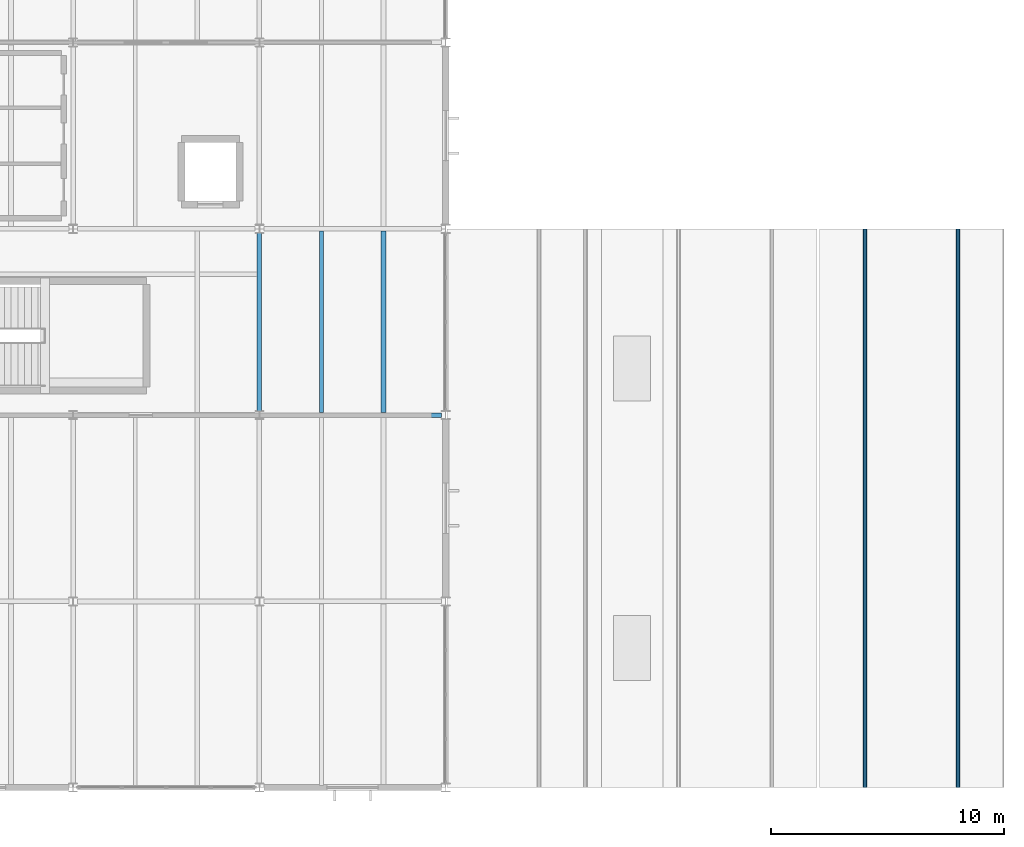
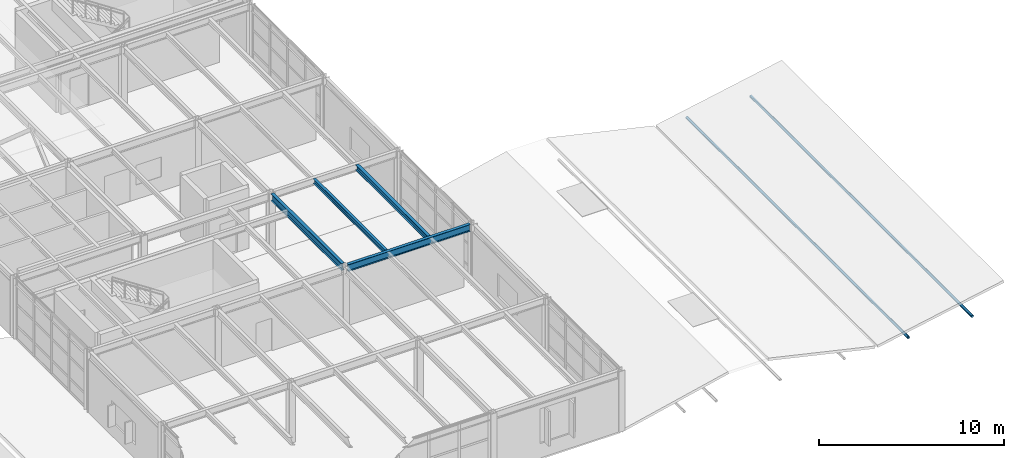
# One storey, part 28 of 50: 4 beams, 2 members.
"""IFC4 building model written with IfcOpenShell, lengths in metres."""

from ifc_helpers import new_model, si_unit, direction, frame, origin, origin_2d, place, context, subcontext, project, spatial, hollow_circle, i_section, extrude, material, material_profile, profile_set, type_object, element, save


model = new_model("IFC4")

# Units and contexts
model_context = context("Model", 3, precision=1e-05, world=origin(), true_north=direction((0.0, 1.0)))
body_context = subcontext(model_context, "Body", "Model", "MODEL_VIEW")
ifc_project = project(units=[si_unit("LENGTHUNIT", "METRE"), si_unit("AREAUNIT", "SQUARE_METRE"), si_unit("VOLUMEUNIT", "CUBIC_METRE"), si_unit("PLANEANGLEUNIT", "RADIAN"), si_unit("MASSUNIT", "GRAM", prefix="KILO")], contexts=[model_context])

# Site, building, storey
site_placement = place(None, origin())
site = spatial("IfcSite", under=ifc_project, at=site_placement, CompositionType="ELEMENT")
building_placement = place(site_placement, origin())
building = spatial("IfcBuilding", under=site, at=building_placement, Name="Varnela Railside Interchange", CompositionType="ELEMENT")
storey_placement = place(building_placement, frame((0.0, 0.0, 15.39990234375)))
storey = spatial("IfcBuildingStorey", under=building, at=storey_placement, Name="L03", CompositionType="ELEMENT", Elevation=15.39990234375)

# Beams
ifc_material = material(Name="Steel AR 350 (350 MPa)", Category="steel")
ifc_material_profile_1 = material_profile(ifc_material, i_section(OverallWidth=0.1650390625, OverallDepth=0.31005859375, WebThickness=0.005859375, FlangeThickness=0.009765625, at=origin_2d()), Name="W310x38.7")
ifc_profile_set_1 = profile_set([ifc_material_profile_1], Name="Steel AR 350 (350 MPa)")
beam_type_1 = type_object("IfcBeamType", Name="Composite Floor Joist J-04", PredefinedType="JOIST", material=ifc_profile_set_1)
beam_1_placement = place(storey_placement, frame((134.669921875, 54.1044921875, 3.84521484375), z_axis=(0.0, 1.0, 0.0), x_axis=(-1.0, 0.0, 0.0)))
element("IfcBeam", 1, at=beam_1_placement, inside=storey, type_object=beam_type_1, Name="Composite Floor Joist J-04 (L03) (BM-2161)", PredefinedType="JOIST", context=body_context, shape_type="SweptSolid", body=[
    extrude(i_section(OverallWidth=0.1650390625, OverallDepth=0.31005859375, WebThickness=0.005859375, FlangeThickness=0.009765625, at=origin_2d()), origin(), (0.0, 0.0, 1.0), 7.791015625),
])
ifc_material_profile_2 = material_profile(ifc_material, i_section(OverallWidth=0.202880859375, OverallDepth=0.346923828125, WebThickness=0.0078125, FlangeThickness=0.013427734375, at=origin_2d()), Name="W360x64")
ifc_profile_set_2 = profile_set([ifc_material_profile_2], Name="Steel AR 350 (350 MPa)")
beam_type_2 = type_object("IfcBeamType", Name="Composite Heavy Joist J-01", PredefinedType="JOIST", material=ifc_profile_set_2)
beam_2_placement = place(storey_placement, frame((137.330078125, 54.1044921875, 3.82666015625), z_axis=(0.0, 1.0, 0.0), x_axis=(-1.0, 0.0, 0.0)))
element("IfcBeam", 2, at=beam_2_placement, inside=storey, type_object=beam_type_2, Name="Composite Heavy Joist J-01 (L03) (BM-2162)", PredefinedType="JOIST", context=body_context, shape_type="SweptSolid", body=[
    extrude(i_section(OverallWidth=0.202880859375, OverallDepth=0.346923828125, WebThickness=0.0078125, FlangeThickness=0.013427734375, at=origin_2d()), origin(), (0.0, 0.0, 1.0), 7.791015625),
])
ifc_material_profile_3 = material_profile(ifc_material, i_section(OverallWidth=0.194091796875, OverallDepth=0.468994140625, WebThickness=0.0126953125, FlangeThickness=0.0205078125, at=origin_2d()), Name="W460x106")
ifc_profile_set_3 = profile_set([ifc_material_profile_3], Name="Steel AR 350 (350 MPa)")
beam_type_3 = type_object("IfcBeamType", Name="Composite Primary Beam B-19", PredefinedType="BEAM", material=ifc_profile_set_3)
beam_3_placement = place(storey_placement, frame((132.0, 54.18408203125, 3.765625), z_axis=(0.0, 1.0, 0.0), x_axis=(-1.0, 0.0, 0.0)))
element("IfcBeam", 3, at=beam_3_placement, inside=storey, type_object=beam_type_3, Name="Composite Primary Beam B-19 (L03) (BM-2291)", PredefinedType="BEAM", context=body_context, shape_type="SweptSolid", body=[
    extrude(i_section(OverallWidth=0.194091796875, OverallDepth=0.468994140625, WebThickness=0.0126953125, FlangeThickness=0.0205078125, at=origin_2d()), origin(), (0.0, 0.0, 1.0), 7.6318359375),
])

# Members
ifc_material_profile_4 = material_profile(ifc_material, hollow_circle(Radius=0.084228515625, WallThickness=0.010009765625, at=origin_2d()), Name="CHS 168.3x10")
ifc_profile_set_4 = profile_set([ifc_material_profile_4], Name="Steel AR 350 (350 MPa)")
member_type = type_object("IfcMemberType", Name="Skylight Truss Chord BR-14", PredefinedType="PURLIN", material=ifc_profile_set_4)
for number, where, z_axis, x_axis, name in (
    (4, (158.0, 38.0, -0.199951171875), (0.0, 1.0, 0.0), (-1.0, 0.0, 0.0), "Skylight Truss Chord BR-14 (L03) (MB-0144)"),
    (5, (162.0, 38.0, -0.199951171875), (0.0, 1.0, 0.0), (-1.0, 0.0, 0.0), "Skylight Truss Chord BR-14 (L03) (MB-0145)"),
):
    element("IfcMember", number, at=place(storey_placement, frame(where, z_axis=z_axis, x_axis=x_axis)), inside=storey, type_object=member_type, Name=name, PredefinedType="PURLIN", context=body_context, shape_type="SweptSolid", body=[
        extrude(hollow_circle(Radius=0.084228515625, WallThickness=0.010009765625, at=origin_2d()), origin(), (0.0, 0.0, 1.0), 24.0),
    ])

# Beam
ifc_material_profile_5 = material_profile(ifc_material, i_section(OverallWidth=0.19091796875, OverallDepth=0.4599609375, WebThickness=0.010009765625, FlangeThickness=0.01611328125, at=origin_2d()), Name="W460x82")
ifc_profile_set_5 = profile_set([ifc_material_profile_5], Name="Steel AR 350 (350 MPa)")
beam_type_4 = type_object("IfcBeamType", Name="Steel Perimeter Spandrel SP-01", PredefinedType="SPANDREL", material=ifc_profile_set_5)
beam_4_placement = place(storey_placement, frame((132.1865234375, 54.0, 3.77001953125), z_axis=(1.0, 0.0, 0.0), x_axis=(0.0, 1.0, 0.0)))
element("IfcBeam", 6, at=beam_4_placement, inside=storey, type_object=beam_type_4, Name="Steel Perimeter Spandrel SP-01 (L03) (BM-2233)", PredefinedType="SPANDREL", context=body_context, shape_type="SweptSolid", body=[
    extrude(i_section(OverallWidth=0.19091796875, OverallDepth=0.4599609375, WebThickness=0.010009765625, FlangeThickness=0.01611328125, at=origin_2d()), origin(), (0.0, 0.0, 1.0), 7.626953125),
])

save(model, "model.ifc")
